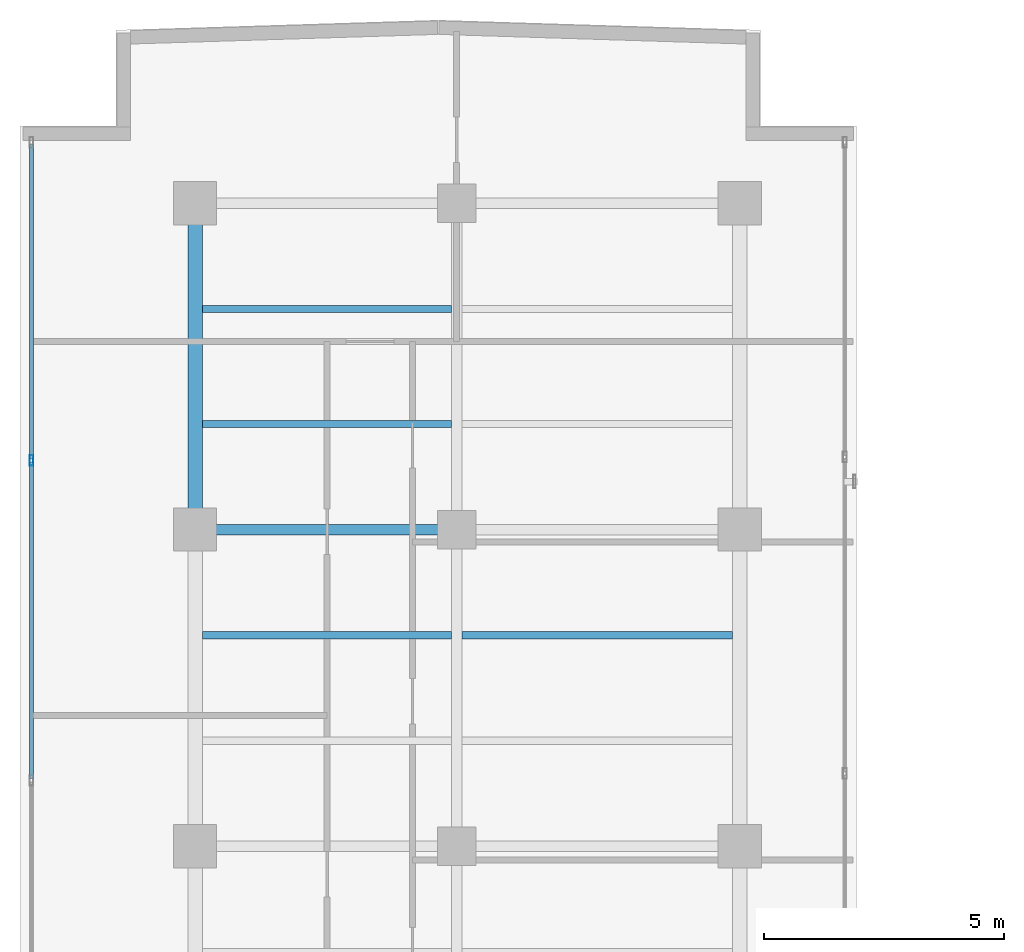
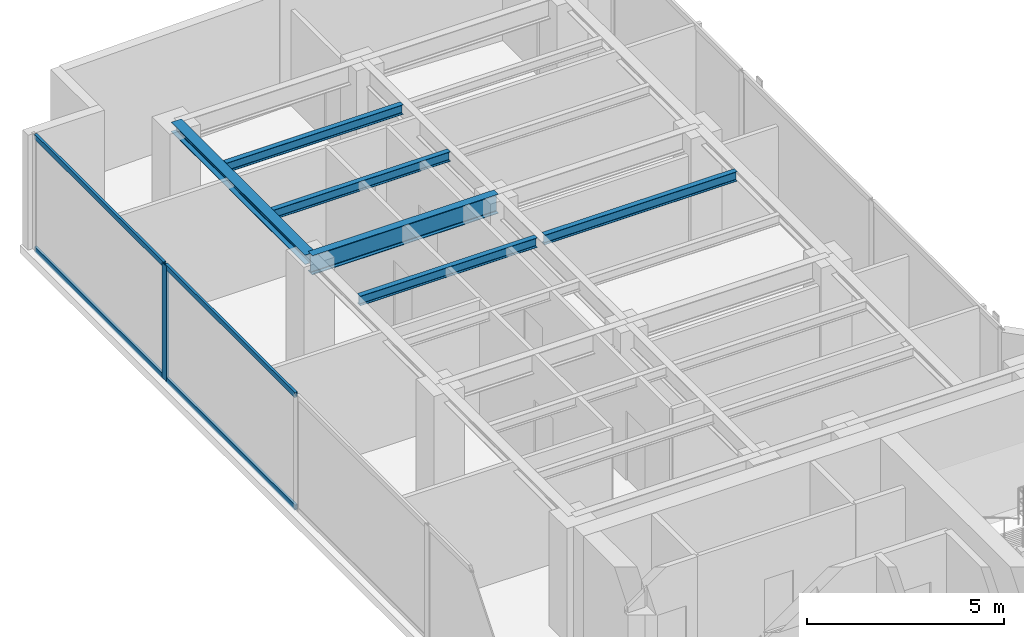
# One storey, part 13 of 22: 6 beams, 5 members, 1 element without a shape of its own.
"""IFC4 building model written with IfcOpenShell, lengths in metres."""

from ifc_helpers import new_model, si_unit, direction, frame, origin, origin_with_axes, origin_2d, place, context, subcontext, project, spatial, hollow_rectangle, i_section, extrude, source, transform, mapped, material, layer, layer_set, material_profile, profile_set, type_object, element, aggregate, save


model = new_model("IFC4")

# Units and contexts
model_context = context("Model", 3, precision=1e-05, world=origin(), true_north=direction((0.0, 1.0)))
body_context = subcontext(model_context, "Body", "Model", "MODEL_VIEW")
ifc_project = project(units=[si_unit("LENGTHUNIT", "METRE"), si_unit("AREAUNIT", "SQUARE_METRE"), si_unit("VOLUMEUNIT", "CUBIC_METRE"), si_unit("PLANEANGLEUNIT", "RADIAN"), si_unit("MASSUNIT", "GRAM", prefix="KILO")], contexts=[model_context])

# Site, building, storey
site_placement = place(None, origin())
site = spatial("IfcSite", under=ifc_project, at=site_placement, CompositionType="ELEMENT")
building_placement = place(site_placement, origin())
building = spatial("IfcBuilding", under=site, at=building_placement, Name="Kolvaren Waterfront Exchange", CompositionType="ELEMENT")
storey_placement = place(building_placement, frame((0.0, 0.0, 323.60009765625)))
storey = spatial("IfcBuildingStorey", under=building, at=storey_placement, Name="L83", CompositionType="ELEMENT", Elevation=323.60009765625)

# Beams
ifc_material_1 = material(Name="Steel S355", Category="steel")
ifc_material_profile_1 = material_profile(ifc_material_1, i_section(OverallWidth=0.300048828125, OverallDepth=0.300048828125, WebThickness=0.010986328125, FlangeThickness=0.01904296875, FilletRadius=0.027099609375, at=origin_2d()), Name="HEB300")
ifc_profile_set_1 = profile_set([ifc_material_profile_1], Name="Steel S355")
beam_type_1 = type_object("IfcBeamType", Name="STR-BM-HEB300", PredefinedType="SPANDREL", material=ifc_profile_set_1)
beam_1_placement = place(storey_placement, frame((7.449951171875, 37.800048828125, 3.409912109375), z_axis=(0.0, 1.0, 0.0), x_axis=(-1.0, 0.0, 0.0)))
element("IfcBeam", 1, at=beam_1_placement, inside=storey, type_object=beam_type_1, Name="L83 north-arm edge beam 3", PredefinedType="SPANDREL", context=body_context, shape_type="SweptSolid", body=[
    extrude(i_section(OverallWidth=0.300048828125, OverallDepth=0.300048828125, WebThickness=0.010986328125, FlangeThickness=0.01904296875, FilletRadius=0.027099609375, at=origin_2d()), origin(), (0.0, 0.0, 1.0), 6.800048828125),
])
ifc_material_profile_2 = material_profile(ifc_material_1, i_section(OverallWidth=0.14990234375, OverallDepth=0.300048828125, WebThickness=0.007080078125, FlangeThickness=0.0107421875, FilletRadius=0.014892578125, at=origin_2d()), Name="IPE300")
ifc_profile_set_2 = profile_set([ifc_material_profile_2], Name="Steel S355")
beam_type_2 = type_object("IfcBeamType", Name="STR-BM-IPE300", PredefinedType="JOIST", material=ifc_profile_set_2)
beam_2_placement = place(storey_placement, frame((7.60205078125, 35.60009765625, 3.409912109375), z_axis=(1.0, 0.0, 0.0), x_axis=(0.0, 1.0, 0.0)))
element("IfcBeam", 2, at=beam_2_placement, inside=storey, type_object=beam_type_2, Name="L83 north-arm composite joist 4A", PredefinedType="JOIST", context=body_context, shape_type="SweptSolid", body=[
    extrude(i_section(OverallWidth=0.14990234375, OverallDepth=0.300048828125, WebThickness=0.007080078125, FlangeThickness=0.0107421875, FilletRadius=0.014892578125, at=origin_2d()), origin(), (0.0, 0.0, 1.0), 5.18603515625),
])
beam_3_placement = place(storey_placement, frame((13.011962890625, 35.60009765625, 3.409912109375), z_axis=(1.0, 0.0, 0.0), x_axis=(0.0, 1.0, 0.0)))
element("IfcBeam", 3, at=beam_3_placement, inside=storey, type_object=beam_type_2, Name="L83 north-arm composite joist 4B", PredefinedType="JOIST", context=body_context, shape_type="SweptSolid", body=[
    extrude(i_section(OverallWidth=0.14990234375, OverallDepth=0.300048828125, WebThickness=0.007080078125, FlangeThickness=0.0107421875, FilletRadius=0.014892578125, at=origin_2d()), origin(), (0.0, 0.0, 1.0), 5.635986328125),
])
for number, where, z_axis, x_axis, name in (
    (4, (7.60205078125, 40.0, 3.409912109375), (1.0, 0.0, 0.0), (0.0, 1.0, 0.0), "L83 north-arm composite joist 5A"),
    (5, (7.60205078125, 42.39990234375, 3.409912109375), (1.0, 0.0, 0.0), (0.0, 1.0, 0.0), "L83 north-arm composite joist 6A"),
):
    element("IfcBeam", number, at=place(storey_placement, frame(where, z_axis=z_axis, x_axis=x_axis)), inside=storey, type_object=beam_type_2, Name=name, PredefinedType="JOIST", context=body_context, shape_type="SweptSolid", body=[
        extrude(i_section(OverallWidth=0.14990234375, OverallDepth=0.300048828125, WebThickness=0.007080078125, FlangeThickness=0.0107421875, FilletRadius=0.014892578125, at=origin_2d()), origin(), (0.0, 0.0, 1.0), 5.18603515625),
    ])
ifc_material_profile_3 = material_profile(ifc_material_1, i_section(OverallWidth=0.219970703125, OverallDepth=0.60009765625, WebThickness=0.011962890625, FlangeThickness=0.01904296875, FilletRadius=0.02392578125, at=origin_2d()), Name="IPE600")
ifc_profile_set_3 = profile_set([ifc_material_profile_3], Name="Steel S355")
beam_type_3 = type_object("IfcBeamType", Name="STR-BM-IPE600", PredefinedType="BEAM", material=ifc_profile_set_3)
beam_4_placement = place(storey_placement, frame((7.449951171875, 37.800048828125, 3.260009765625), z_axis=(1.0, 0.0, 0.0), x_axis=(0.0, 1.0, 0.0)))
element("IfcBeam", 6, at=beam_4_placement, inside=storey, type_object=beam_type_3, Name="L83 north-arm girder 3A", PredefinedType="BEAM", context=body_context, shape_type="SweptSolid", body=[
    extrude(i_section(OverallWidth=0.219970703125, OverallDepth=0.60009765625, WebThickness=0.011962890625, FlangeThickness=0.01904296875, FilletRadius=0.02392578125, at=origin_2d()), origin(), (0.0, 0.0, 1.0), 5.449951171875),
])

# Curtain wall, members
ifc_material_2 = material(Name="Anodised aluminium 6063-T6", Category="aluminium")
ifc_layer = layer(ifc_material_2, 0.219970703125, Name="Anodised aluminium 6063-T6")
ifc_layer_set = layer_set([ifc_layer], Name="Anodised aluminium 6063-T6")
curtain_wall_type = type_object("IfcCurtainWallType", Name="ARC-CW-SYS2", PredefinedType="USERDEFINED", material=ifc_layer_set)
curtain_wall_placement = place(storey_placement, origin())
curtain_wall = element("IfcCurtainWall", 7, at=curtain_wall_placement, inside=storey, type_object=curtain_wall_type, Name="L83 stick curtain wall CW2 (CW-L83-W)", ObjectType="STICK CURTAIN WALL", PredefinedType="USERDEFINED")
ifc_material_profile_4 = material_profile(ifc_material_2, hollow_rectangle(XDim=0.080078125, YDim=0.219970703125, WallThickness=0.0048828125, at=origin_2d()), Name="ALU-MUL-220x80x5")
ifc_profile_set_4 = profile_set([ifc_material_profile_4], Name="Anodised aluminium 6063-T6")
member_type_1 = type_object("IfcMemberType", Name="ARC-CWM-220", PredefinedType="MULLION", material=ifc_profile_set_4)
shared_shape_1 = source(origin_with_axes(), body_context, "Body", "SweptSolid", [
    extrude(hollow_rectangle(XDim=0.080078125, YDim=0.219970703125, WallThickness=0.0048828125, at=origin_2d()), origin(), (0.0, 0.0, 1.0), 3.559814453125),
])
member_1_placement = place(storey_placement, frame((4.0400390625, 39.2421875, 0.0), z_axis=(0.0, 0.0, 1.0), x_axis=(-1.0, 0.0, 0.0)))
member_1 = element("IfcMember", 8, at=member_1_placement, type_object=member_type_1, Name="CW2 mullion 6", PredefinedType="MULLION", context=body_context, shape_type="MappedRepresentation", body=[
    mapped(shared_shape_1, transform((0.0, 0.0, 0.0), x_axis=(1.0, 0.0, 0.0), y_axis=(0.0, 1.0, 0.0), z_axis=(0.0, 0.0, 1.0), scale=1.0)),
])
ifc_material_profile_5 = material_profile(ifc_material_2, hollow_rectangle(XDim=0.074951171875, YDim=0.159912109375, WallThickness=0.00439453125, at=origin_2d()), Name="ALU-TRN-160x75x4.5")
ifc_profile_set_5 = profile_set([ifc_material_profile_5], Name="Anodised aluminium 6063-T6")
member_type_2 = type_object("IfcMemberType", Name="ARC-CWT-160", PredefinedType="USERDEFINED", material=ifc_profile_set_5)
shared_shape_2 = source(origin_with_axes(), body_context, "Body", "SweptSolid", [
    extrude(hollow_rectangle(XDim=0.074951171875, YDim=0.159912109375, WallThickness=0.00439453125, at=origin_2d()), origin(), (0.0, 0.0, 1.0), 6.58837890625),
])
member_2_placement = place(storey_placement, frame((4.0400390625, 32.61376953125, 0.037353515625), z_axis=(0.0, 1.0, 0.0), x_axis=(-1.0, 0.0, 0.0)))
member_2 = element("IfcMember", 9, at=member_2_placement, type_object=member_type_2, Name="CW2 transom 5.1", ObjectType="TRANSOM", PredefinedType="USERDEFINED", context=body_context, shape_type="MappedRepresentation", body=[
    mapped(shared_shape_2, transform((0.0, 0.0, 0.0), x_axis=(1.0, 0.0, 0.0), y_axis=(0.0, 1.0, 0.0), z_axis=(0.0, 0.0, 1.0), scale=1.0)),
])
member_3_placement = place(storey_placement, frame((4.0400390625, 32.61376953125, 3.5224609375), z_axis=(0.0, 1.0, 0.0), x_axis=(-1.0, 0.0, 0.0)))
member_3 = element("IfcMember", 10, at=member_3_placement, type_object=member_type_2, Name="CW2 transom 5.2", ObjectType="TRANSOM", PredefinedType="USERDEFINED", context=body_context, shape_type="MappedRepresentation", body=[
    mapped(shared_shape_2, transform((0.0, 0.0, 0.0), x_axis=(1.0, 0.0, 0.0), y_axis=(0.0, 1.0, 0.0), z_axis=(0.0, 0.0, 1.0), scale=1.0)),
])
shared_shape_3 = source(origin_with_axes(), body_context, "Body", "SweptSolid", [
    extrude(hollow_rectangle(XDim=0.074951171875, YDim=0.159912109375, WallThickness=0.00439453125, at=origin_2d()), origin(), (0.0, 0.0, 1.0), 6.548583984375),
])
member_4_placement = place(storey_placement, frame((4.0400390625, 39.281982421875, 0.037353515625), z_axis=(0.0, 1.0, 0.0), x_axis=(-1.0, 0.0, 0.0)))
member_4 = element("IfcMember", 11, at=member_4_placement, type_object=member_type_2, Name="CW2 transom 6.1", ObjectType="TRANSOM", PredefinedType="USERDEFINED", context=body_context, shape_type="MappedRepresentation", body=[
    mapped(shared_shape_3, transform((0.0, 0.0, 0.0), x_axis=(1.0, 0.0, 0.0), y_axis=(0.0, 1.0, 0.0), z_axis=(0.0, 0.0, 1.0), scale=1.0)),
])
member_5_placement = place(storey_placement, frame((4.0400390625, 39.281982421875, 3.5224609375), z_axis=(0.0, 1.0, 0.0), x_axis=(-1.0, 0.0, 0.0)))
member_5 = element("IfcMember", 12, at=member_5_placement, type_object=member_type_2, Name="CW2 transom 6.2", ObjectType="TRANSOM", PredefinedType="USERDEFINED", context=body_context, shape_type="MappedRepresentation", body=[
    mapped(shared_shape_3, transform((0.0, 0.0, 0.0), x_axis=(1.0, 0.0, 0.0), y_axis=(0.0, 1.0, 0.0), z_axis=(0.0, 0.0, 1.0), scale=1.0)),
])
aggregate(curtain_wall, [member_1, member_2, member_3, member_4, member_5])

save(model, "model.ifc")
